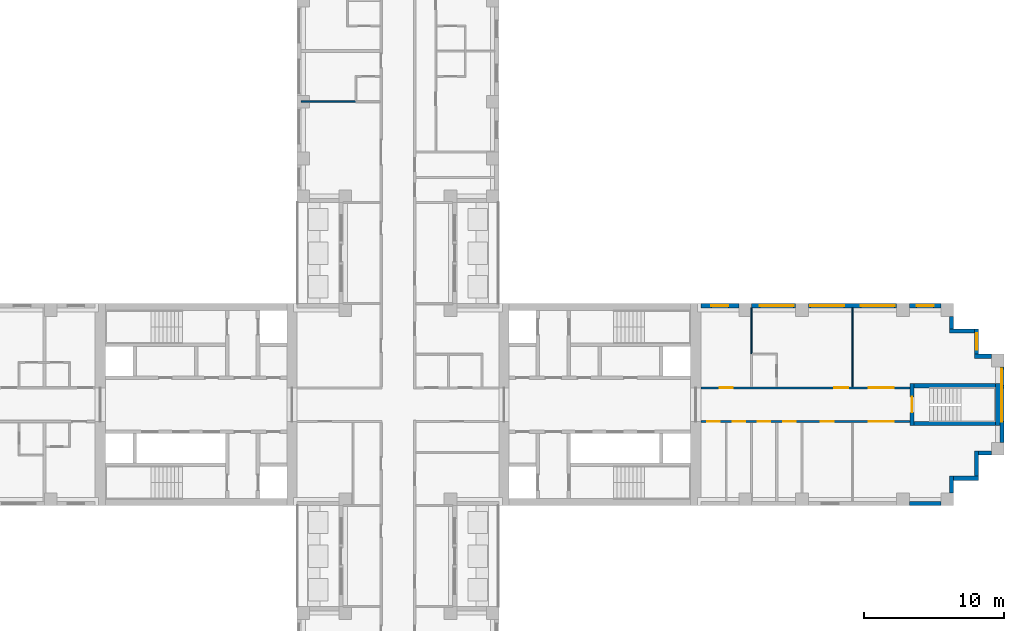
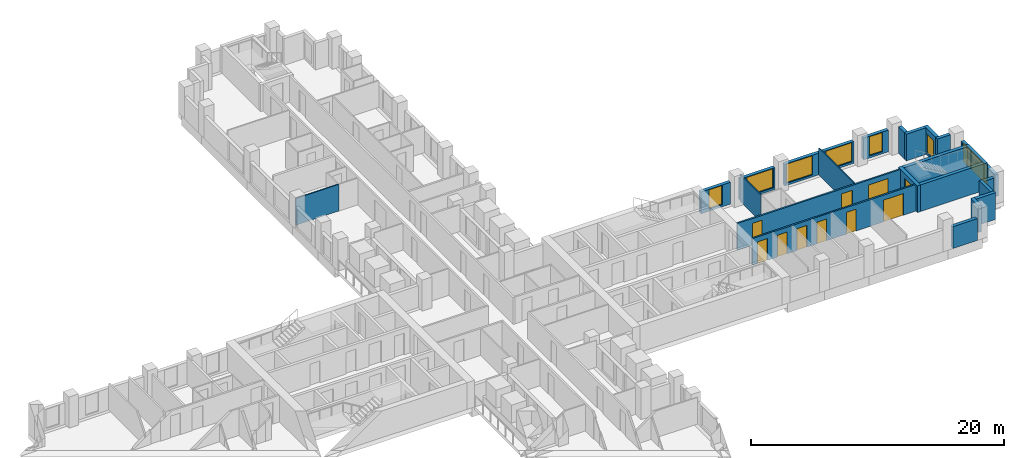
# One storey, part 10 of 15: 23 walls, 10 doors, 8 windows, 18 openings.
"""IFC4 building model written with IfcOpenShell, lengths in metres."""

from ifc_helpers import new_model, si_unit, direction, frame, frame_2d, origin, place, context, subcontext, project, spatial, rectangle, extrude, material, layer, layer_set, type_object, element, fill, save


model = new_model("IFC4")

# Units and contexts
model_context = context("Model", 3, precision=1e-05, world=origin(), true_north=direction((0.0, 1.0)))
body_context = subcontext(model_context, "Body", "Model", "MODEL_VIEW")
ifc_project = project(units=[si_unit("LENGTHUNIT", "METRE"), si_unit("AREAUNIT", "SQUARE_METRE"), si_unit("VOLUMEUNIT", "CUBIC_METRE"), si_unit("PLANEANGLEUNIT", "RADIAN"), si_unit("MASSUNIT", "GRAM", prefix="KILO")], contexts=[model_context])

# Site, building, storey
site_placement = place(None, origin())
site = spatial("IfcSite", under=ifc_project, at=site_placement, CompositionType="ELEMENT")
building_placement = place(site_placement, origin())
building = spatial("IfcBuilding", under=site, at=building_placement, Name="Fustian Cross Tower", CompositionType="ELEMENT")
storey_placement = place(building_placement, frame((0.0, 0.0, 50.699951171875)))
storey = spatial("IfcBuildingStorey", under=building, at=storey_placement, Name="L15", CompositionType="ELEMENT", Elevation=50.699951171875)

# Wall, openings, doors
ifc_material_1 = material(Name="Plasterboard on steel stud", Category="steel")
ifc_layer_1 = layer(ifc_material_1, 0.14990234375)
ifc_layer_set_1 = layer_set([ifc_layer_1], Name="Plasterboard on steel stud")
wall_type_1 = type_object("IfcWallType", Name="COMPARTMENT WALL 150 EI 60", PredefinedType="PARTITIONING", material=ifc_layer_set_1)
wall_1_placement = place(storey_placement, frame((21.60009765625, -1.199951171875, 0.0), z_axis=(0.0, 0.0, 1.0), x_axis=(1.0, 0.0, 0.0)))
wall_1 = element("IfcWall", 1, at=wall_1_placement, inside=storey, type_object=wall_type_1, Name="Partition 77", PredefinedType="PARTITIONING", context=body_context, shape_type="SweptSolid", body=[
    extrude(rectangle(XDim=14.89990234375, YDim=0.14990234375, at=frame_2d((7.449951171875, 0.0))), origin(), (0.0, 0.0, 1.0), 2.574951171875),
])
opening_1_placement = place(wall_1_placement, frame((0.449951171875, 0.0, 0.0)))
opening_1 = element("IfcOpeningElement", 2, at=opening_1_placement, cuts=wall_1, Name="Opening D08013", PredefinedType="OPENING", context=body_context, shape_type="SweptSolid", body=[
    extrude(rectangle(XDim=0.89990234375, YDim=2.10009765625, at=frame_2d((0.449951171875, 1.050048828125))), frame((0.0, 0.0849609375, 0.0), z_axis=(0.0, -1.0, 0.0), x_axis=(1.0, 0.0, 0.0)), (0.0, 0.0, 1.0), 0.169921875),
])
opening_2_placement = place(wall_1_placement, frame((2.25, 0.0, 0.0)))
opening_2 = element("IfcOpeningElement", 3, at=opening_2_placement, cuts=wall_1, Name="Opening D08014", PredefinedType="OPENING", context=body_context, shape_type="SweptSolid", body=[
    extrude(rectangle(XDim=0.89990234375, YDim=2.10009765625, at=frame_2d((0.449951171875, 1.050048828125))), frame((0.0, 0.0849609375, 0.0), z_axis=(0.0, -1.0, 0.0), x_axis=(1.0, 0.0, 0.0)), (0.0, 0.0, 1.0), 0.169921875),
])
opening_3_placement = place(wall_1_placement, frame((4.050048828125, 0.0, 0.0)))
opening_3 = element("IfcOpeningElement", 4, at=opening_3_placement, cuts=wall_1, Name="Opening D08015", PredefinedType="OPENING", context=body_context, shape_type="SweptSolid", body=[
    extrude(rectangle(XDim=0.89990234375, YDim=2.10009765625, at=frame_2d((0.449951171875, 1.050048828125))), frame((0.0, 0.0849609375, 0.0), z_axis=(0.0, -1.0, 0.0), x_axis=(1.0, 0.0, 0.0)), (0.0, 0.0, 1.0), 0.169921875),
])
opening_4_placement = place(wall_1_placement, frame((5.85009765625, 0.0, 0.0)))
opening_4 = element("IfcOpeningElement", 5, at=opening_4_placement, cuts=wall_1, Name="Opening D08016", PredefinedType="OPENING", context=body_context, shape_type="SweptSolid", body=[
    extrude(rectangle(XDim=0.89990234375, YDim=2.10009765625, at=frame_2d((0.449951171875, 1.050048828125))), frame((0.0, 0.0849609375, 0.0), z_axis=(0.0, -1.0, 0.0), x_axis=(1.0, 0.0, 0.0)), (0.0, 0.0, 1.0), 0.169921875),
])
opening_5_placement = place(wall_1_placement, frame((8.550048828125, 0.0, 0.0)))
opening_5 = element("IfcOpeningElement", 6, at=opening_5_placement, cuts=wall_1, Name="Opening D08017", PredefinedType="OPENING", context=body_context, shape_type="SweptSolid", body=[
    extrude(rectangle(XDim=0.89990234375, YDim=2.10009765625, at=frame_2d((0.449951171875, 1.050048828125))), frame((0.0, 0.0849609375, 0.0), z_axis=(0.0, -1.0, 0.0), x_axis=(1.0, 0.0, 0.0)), (0.0, 0.0, 1.0), 0.169921875),
])
opening_6_placement = place(wall_1_placement, frame((11.949951171875, 0.0, 0.0)))
opening_6 = element("IfcOpeningElement", 7, at=opening_6_placement, cuts=wall_1, Name="Opening D08018", PredefinedType="OPENING", context=body_context, shape_type="SweptSolid", body=[
    extrude(rectangle(XDim=1.800048828125, YDim=2.10009765625, at=frame_2d((0.89990234375, 1.050048828125))), frame((0.0, 0.0849609375, 0.0), z_axis=(0.0, -1.0, 0.0), x_axis=(1.0, 0.0, 0.0)), (0.0, 0.0, 1.0), 0.169921875),
])
ifc_material_2 = material(Name="Timber fire door set", Category="wood")
door_type_1 = type_object("IfcDoorType", Name="FIRE DOUBLE DOOR 1800 FD30S", OperationType="DOUBLE_DOOR_DOUBLE_SWING", PredefinedType="DOOR", material=ifc_material_2)
door_1_placement = place(opening_6_placement, origin())
door_1 = element("IfcDoor", 8, at=door_1_placement, inside=storey, type_object=door_type_1, Name="Door D08018", OperationType="DOUBLE_DOOR_DOUBLE_SWING", OverallHeight=2.10009765625, OverallWidth=1.800048828125, PredefinedType="DOOR", context=body_context, shape_type="SweptSolid", body=[
    extrude(rectangle(XDim=1.800048828125, YDim=2.10009765625, at=frame_2d((0.89990234375, 1.050048828125))), frame((0.0, 0.02490234375, 0.0), z_axis=(0.0, -1.0, 0.0), x_axis=(1.0, 0.0, 0.0)), (0.0, 0.0, 1.0), 0.050048828125),
])
fill(opening_6, door_1)
ifc_material_3 = material(Name="Timber fire door set", Category="wood")
door_type_2 = type_object("IfcDoorType", Name="FIRE SWING DOOR 900 FD30S", OperationType="SINGLE_SWING_LEFT", PredefinedType="DOOR", material=ifc_material_3)
door_2_placement = place(opening_1_placement, frame((0.89990234375, 0.0, 0.0), z_axis=(0.0, 0.0, 1.0), x_axis=(-1.0, 0.0, 0.0)))
door_2 = element("IfcDoor", 9, at=door_2_placement, inside=storey, type_object=door_type_2, Name="Door D08013", OperationType="SINGLE_SWING_LEFT", OverallHeight=2.10009765625, OverallWidth=0.89990234375, PredefinedType="DOOR", context=body_context, shape_type="SweptSolid", body=[
    extrude(rectangle(XDim=0.89990234375, YDim=2.10009765625, at=frame_2d((0.449951171875, 1.050048828125))), frame((0.0, 0.02490234375, 0.0), z_axis=(0.0, -1.0, 0.0), x_axis=(1.0, 0.0, 0.0)), (0.0, 0.0, 1.0), 0.050048828125),
])
fill(opening_1, door_2)
door_3_placement = place(opening_2_placement, frame((0.89990234375, 0.0, 0.0), z_axis=(0.0, 0.0, 1.0), x_axis=(-1.0, 0.0, 0.0)))
door_3 = element("IfcDoor", 10, at=door_3_placement, inside=storey, type_object=door_type_2, Name="Door D08014", OperationType="SINGLE_SWING_LEFT", OverallHeight=2.10009765625, OverallWidth=0.89990234375, PredefinedType="DOOR", context=body_context, shape_type="SweptSolid", body=[
    extrude(rectangle(XDim=0.89990234375, YDim=2.10009765625, at=frame_2d((0.449951171875, 1.050048828125))), frame((0.0, 0.02490234375, 0.0), z_axis=(0.0, -1.0, 0.0), x_axis=(1.0, 0.0, 0.0)), (0.0, 0.0, 1.0), 0.050048828125),
])
fill(opening_2, door_3)
door_4_placement = place(opening_3_placement, frame((0.89990234375, 0.0, 0.0), z_axis=(0.0, 0.0, 1.0), x_axis=(-1.0, 0.0, 0.0)))
door_4 = element("IfcDoor", 11, at=door_4_placement, inside=storey, type_object=door_type_2, Name="Door D08015", OperationType="SINGLE_SWING_LEFT", OverallHeight=2.10009765625, OverallWidth=0.89990234375, PredefinedType="DOOR", context=body_context, shape_type="SweptSolid", body=[
    extrude(rectangle(XDim=0.89990234375, YDim=2.10009765625, at=frame_2d((0.449951171875, 1.050048828125))), frame((0.0, 0.02490234375, 0.0), z_axis=(0.0, -1.0, 0.0), x_axis=(1.0, 0.0, 0.0)), (0.0, 0.0, 1.0), 0.050048828125),
])
fill(opening_3, door_4)
door_5_placement = place(opening_4_placement, frame((0.89990234375, 0.0, 0.0), z_axis=(0.0, 0.0, 1.0), x_axis=(-1.0, 0.0, 0.0)))
door_5 = element("IfcDoor", 12, at=door_5_placement, inside=storey, type_object=door_type_2, Name="Door D08016", OperationType="SINGLE_SWING_LEFT", OverallHeight=2.10009765625, OverallWidth=0.89990234375, PredefinedType="DOOR", context=body_context, shape_type="SweptSolid", body=[
    extrude(rectangle(XDim=0.89990234375, YDim=2.10009765625, at=frame_2d((0.449951171875, 1.050048828125))), frame((0.0, 0.02490234375, 0.0), z_axis=(0.0, -1.0, 0.0), x_axis=(1.0, 0.0, 0.0)), (0.0, 0.0, 1.0), 0.050048828125),
])
fill(opening_4, door_5)
door_6_placement = place(opening_5_placement, frame((0.89990234375, 0.0, 0.0), z_axis=(0.0, 0.0, 1.0), x_axis=(-1.0, 0.0, 0.0)))
door_6 = element("IfcDoor", 13, at=door_6_placement, inside=storey, type_object=door_type_2, Name="Door D08017", OperationType="SINGLE_SWING_RIGHT", OverallHeight=2.10009765625, OverallWidth=0.89990234375, PredefinedType="DOOR", context=body_context, shape_type="SweptSolid", body=[
    extrude(rectangle(XDim=0.89990234375, YDim=2.10009765625, at=frame_2d((0.449951171875, 1.050048828125))), frame((0.0, 0.02490234375, 0.0), z_axis=(0.0, -1.0, 0.0), x_axis=(1.0, 0.0, 0.0)), (0.0, 0.0, 1.0), 0.050048828125),
])
fill(opening_5, door_6)

wall_2_placement = place(storey_placement, frame((21.60009765625, 1.199951171875, 0.0), z_axis=(0.0, 0.0, 1.0), x_axis=(1.0, 0.0, 0.0)))
wall_2 = element("IfcWall", 14, at=wall_2_placement, inside=storey, type_object=wall_type_1, Name="Partition 78", PredefinedType="PARTITIONING", context=body_context, shape_type="SweptSolid", body=[
    extrude(rectangle(XDim=14.89990234375, YDim=0.14990234375, at=frame_2d((7.449951171875, 0.0))), origin(), (0.0, 0.0, 1.0), 2.574951171875),
])
opening_7_placement = place(wall_2_placement, frame((1.35009765625, 0.0, 0.0)))
opening_7 = element("IfcOpeningElement", 15, at=opening_7_placement, cuts=wall_2, Name="Opening D08009", PredefinedType="OPENING", context=body_context, shape_type="SweptSolid", body=[
    extrude(rectangle(XDim=0.89990234375, YDim=2.10009765625, at=frame_2d((0.449951171875, 1.050048828125))), frame((0.0, 0.0849609375, 0.0), z_axis=(0.0, -1.0, 0.0), x_axis=(1.0, 0.0, 0.0)), (0.0, 0.0, 1.0), 0.169921875),
])
opening_8_placement = place(wall_2_placement, frame((9.489990234375, 0.0, 0.0)))
opening_8 = element("IfcOpeningElement", 16, at=opening_8_placement, cuts=wall_2, Name="Opening D08011", PredefinedType="OPENING", context=body_context, shape_type="SweptSolid", body=[
    extrude(rectangle(XDim=1.0, YDim=2.10009765625, at=frame_2d((0.5, 1.050048828125))), frame((0.0, 0.0849609375, 0.0), z_axis=(0.0, -1.0, 0.0), x_axis=(1.0, 0.0, 0.0)), (0.0, 0.0, 1.0), 0.169921875),
])
opening_9_placement = place(wall_2_placement, frame((11.949951171875, 0.0, 0.0)))
opening_9 = element("IfcOpeningElement", 17, at=opening_9_placement, cuts=wall_2, Name="Opening D08012", PredefinedType="OPENING", context=body_context, shape_type="SweptSolid", body=[
    extrude(rectangle(XDim=1.800048828125, YDim=2.10009765625, at=frame_2d((0.89990234375, 1.050048828125))), frame((0.0, 0.0849609375, 0.0), z_axis=(0.0, -1.0, 0.0), x_axis=(1.0, 0.0, 0.0)), (0.0, 0.0, 1.0), 0.169921875),
])
door_7_placement = place(opening_9_placement, frame((1.800048828125, 0.0, 0.0), z_axis=(0.0, 0.0, 1.0), x_axis=(-1.0, 0.0, 0.0)))
door_7 = element("IfcDoor", 18, at=door_7_placement, inside=storey, type_object=door_type_1, Name="Door D08012", OperationType="DOUBLE_DOOR_DOUBLE_SWING", OverallHeight=2.10009765625, OverallWidth=1.800048828125, PredefinedType="DOOR", context=body_context, shape_type="SweptSolid", body=[
    extrude(rectangle(XDim=1.800048828125, YDim=2.10009765625, at=frame_2d((0.89990234375, 1.050048828125))), frame((0.0, 0.02490234375, 0.0), z_axis=(0.0, -1.0, 0.0), x_axis=(1.0, 0.0, 0.0)), (0.0, 0.0, 1.0), 0.050048828125),
])
fill(opening_9, door_7)
ifc_material_4 = material(Name="Timber fire door set", Category="wood")
door_type_3 = type_object("IfcDoorType", Name="FIRE SWING DOOR 1000 FD30S", OperationType="SINGLE_SWING_LEFT", PredefinedType="DOOR", material=ifc_material_4)
door_8_placement = place(opening_8_placement, origin())
door_8 = element("IfcDoor", 19, at=door_8_placement, inside=storey, type_object=door_type_3, Name="Door D08011", OperationType="SINGLE_SWING_RIGHT", OverallHeight=2.10009765625, OverallWidth=1.0, PredefinedType="DOOR", context=body_context, shape_type="SweptSolid", body=[
    extrude(rectangle(XDim=1.0, YDim=2.10009765625, at=frame_2d((0.5, 1.050048828125))), frame((0.0, 0.02490234375, 0.0), z_axis=(0.0, -1.0, 0.0), x_axis=(1.0, 0.0, 0.0)), (0.0, 0.0, 1.0), 0.050048828125),
])
fill(opening_8, door_8)
door_9_placement = place(opening_7_placement, origin())
door_9 = element("IfcDoor", 20, at=door_9_placement, inside=storey, type_object=door_type_2, Name="Door D08009", OperationType="SINGLE_SWING_LEFT", OverallHeight=2.10009765625, OverallWidth=0.89990234375, PredefinedType="DOOR", context=body_context, shape_type="SweptSolid", body=[
    extrude(rectangle(XDim=0.89990234375, YDim=2.10009765625, at=frame_2d((0.449951171875, 1.050048828125))), frame((0.0, 0.02490234375, 0.0), z_axis=(0.0, -1.0, 0.0), x_axis=(1.0, 0.0, 0.0)), (0.0, 0.0, 1.0), 0.050048828125),
])
fill(opening_7, door_9)

# Walls
ifc_material_5 = material(Name="Plasterboard on steel stud", Category="steel")
ifc_layer_2 = layer(ifc_material_5, 0.10009765625)
ifc_layer_set_2 = layer_set([ifc_layer_2], Name="Plasterboard on steel stud")
wall_type_2 = type_object("IfcWallType", Name="PARTITION 100 STUD", PredefinedType="PARTITIONING", material=ifc_layer_set_2)
wall_3_placement = place(storey_placement, frame((-6.89990234375, 21.60009765625, 0.0), z_axis=(0.0, 0.0, 1.0), x_axis=(1.0, 0.0, 0.0)))
element("IfcWall", 21, at=wall_3_placement, inside=storey, type_object=wall_type_2, Name="Partition 23", PredefinedType="PARTITIONING", context=body_context, shape_type="SweptSolid", body=[
    extrude(rectangle(XDim=3.89990234375, YDim=0.10009765625, at=frame_2d((1.949951171875, 0.0))), origin(), (0.0, 0.0, 1.0), 2.574951171875),
])
wall_4_placement = place(storey_placement, frame((25.199951171875, 3.60009765625, 0.0), z_axis=(0.0, 0.0, 1.0), x_axis=(0.0, 1.0, 0.0)))
element("IfcWall", 22, at=wall_4_placement, inside=storey, type_object=wall_type_2, Name="Partition 82", PredefinedType="PARTITIONING", context=body_context, shape_type="SweptSolid", body=[
    extrude(rectangle(XDim=3.2998046875, YDim=0.10009765625, at=frame_2d((1.64990234375, 0.0))), origin(), (0.0, 0.0, 1.0), 2.574951171875),
])
wall_5_placement = place(storey_placement, frame((32.39990234375, 1.27490234375, 0.0), z_axis=(0.0, 0.0, 1.0), x_axis=(0.0, 1.0, 0.0)))
element("IfcWall", 23, at=wall_5_placement, inside=storey, type_object=wall_type_2, Name="Partition 88", PredefinedType="PARTITIONING", context=body_context, shape_type="SweptSolid", body=[
    extrude(rectangle(XDim=5.625, YDim=0.10009765625, at=frame_2d((2.8125, 0.0))), origin(), (0.0, 0.0, 1.0), 2.574951171875),
])

# Wall, opening, door
ifc_material_6 = material(Name="Concrete C50/60", Category="concrete")
ifc_layer_3 = layer(ifc_material_6, 0.300048828125)
ifc_layer_set_3 = layer_set([ifc_layer_3], Name="Concrete C50/60")
wall_type_3 = type_object("IfcWallType", Name="STAIR ENCLOSURE WALL 300 C50/60", PredefinedType="SHEAR", material=ifc_layer_set_3)
wall_6_placement = place(storey_placement, frame((36.64990234375, -1.5, 0.0), z_axis=(0.0, 0.0, 1.0), x_axis=(0.0, 1.0, 0.0)))
wall_6 = element("IfcWall", 24, at=wall_6_placement, inside=storey, type_object=wall_type_3, Name="Stair enclosure wall", PredefinedType="SHEAR", context=body_context, shape_type="SweptSolid", body=[
    extrude(rectangle(XDim=3.0, YDim=0.300048828125, at=frame_2d((1.5, 0.0))), origin(), (0.0, 0.0, 1.0), 2.574951171875),
])
opening_10_placement = place(wall_6_placement, frame((0.949951171875, 0.0, 0.0)))
opening_10 = element("IfcOpeningElement", 25, at=opening_10_placement, cuts=wall_6, Name="Opening CD-05-33", PredefinedType="OPENING", context=body_context, shape_type="SweptSolid", body=[
    extrude(rectangle(XDim=1.10009765625, YDim=2.10009765625, at=frame_2d((0.550048828125, 1.050048828125))), frame((0.0, 0.159912109375, 0.0), z_axis=(0.0, -1.0, 0.0), x_axis=(1.0, 0.0, 0.0)), (0.0, 0.0, 1.0), 0.320068359375),
])
ifc_material_7 = material(Name="Steel", Category="steel")
door_type_4 = type_object("IfcDoorType", Name="FIRE DOOR FD60S 1100X2100", OperationType="SINGLE_SWING_LEFT", PredefinedType="DOOR", material=ifc_material_7)
door_10_placement = place(opening_10_placement, frame((1.10009765625, 0.0, 0.0), z_axis=(0.0, 0.0, 1.0), x_axis=(-1.0, 0.0, 0.0)))
door_10 = element("IfcDoor", 26, at=door_10_placement, inside=storey, type_object=door_type_4, Name="Core door CD-05-33", OperationType="SINGLE_SWING_RIGHT", OverallHeight=2.10009765625, OverallWidth=1.10009765625, PredefinedType="DOOR", context=body_context, shape_type="SweptSolid", body=[
    extrude(rectangle(XDim=1.10009765625, YDim=2.10009765625, at=frame_2d((0.550048828125, 1.050048828125))), frame((0.0, 0.02490234375, 0.0), z_axis=(0.0, -1.0, 0.0), x_axis=(1.0, 0.0, 0.0)), (0.0, 0.0, 1.0), 0.050048828125),
])
fill(opening_10, door_10)

# Walls
wall_7_placement = place(storey_placement, frame((42.75, -1.5, 0.0), z_axis=(0.0, 0.0, 1.0), x_axis=(0.0, 1.0, 0.0)))
element("IfcWall", 27, at=wall_7_placement, inside=storey, type_object=wall_type_3, Name="Stair enclosure wall", PredefinedType="SHEAR", context=body_context, shape_type="SweptSolid", body=[
    extrude(rectangle(XDim=3.0, YDim=0.300048828125, at=frame_2d((1.5, 0.0))), origin(), (0.0, 0.0, 1.0), 2.574951171875),
])
for number, where, z_axis, x_axis, name in (
    (28, (36.800048828125, -1.35009765625, 0.0), (0.0, 0.0, 1.0), (1.0, 0.0, 0.0), "Stair enclosure wall"),
    (29, (36.800048828125, 1.35009765625, 0.0), (0.0, 0.0, 1.0), (1.0, 0.0, 0.0), "Stair enclosure wall"),
):
    element("IfcWall", number, at=place(storey_placement, frame(where, z_axis=z_axis, x_axis=x_axis)), inside=storey, type_object=wall_type_3, Name=name, PredefinedType="SHEAR", context=body_context, shape_type="SweptSolid", body=[
        extrude(rectangle(XDim=5.800048828125, YDim=0.300048828125, at=frame_2d((2.89990234375, 0.0))), origin(), (0.0, 0.0, 1.0), 2.574951171875),
    ])
ifc_material_8 = material(Name="Dark aluminium cladding on insulated backing wall", Category="aluminium")
ifc_layer_4 = layer(ifc_material_8, 0.300048828125)
ifc_layer_set_4 = layer_set([ifc_layer_4], Name="Dark aluminium cladding on insulated backing wall")
wall_type_4 = type_object("IfcWallType", Name="XW1 EXTERNAL WALL 300", PredefinedType="SOLIDWALL", material=ifc_layer_set_4)
wall_8_placement = place(storey_placement, frame((36.449951171875, -7.050048828125, 0.0), z_axis=(0.0, 0.0, 1.0), x_axis=(1.0, 0.0, 0.0)))
element("IfcWall", 30, at=wall_8_placement, inside=storey, type_object=wall_type_4, Name="External wall", PredefinedType="SOLIDWALL", context=body_context, shape_type="SweptSolid", body=[
    extrude(rectangle(XDim=2.25, YDim=0.300048828125, at=frame_2d((1.125, 0.0))), origin(), (0.0, 0.0, 1.0), 2.10009765625),
])
wall_9_placement = place(storey_placement, frame((39.449951171875, -6.300048828125, 0.0), z_axis=(0.0, 0.0, 1.0), x_axis=(0.0, 1.0, 0.0)))
element("IfcWall", 31, at=wall_9_placement, inside=storey, type_object=wall_type_4, Name="External wall", PredefinedType="SOLIDWALL", context=body_context, shape_type="SweptSolid", body=[
    extrude(rectangle(XDim=1.199951171875, YDim=0.300048828125, at=frame_2d((0.60009765625, 0.0))), origin(), (0.0, 0.0, 1.0), 2.574951171875),
])
wall_10_placement = place(storey_placement, frame((39.60009765625, -5.25, 0.0), z_axis=(0.0, 0.0, 1.0), x_axis=(1.0, 0.0, 0.0)))
element("IfcWall", 32, at=wall_10_placement, inside=storey, type_object=wall_type_4, Name="External wall", PredefinedType="SOLIDWALL", context=body_context, shape_type="SweptSolid", body=[
    extrude(rectangle(XDim=1.7998046875, YDim=0.300048828125, at=frame_2d((0.89990234375, 0.0))), origin(), (0.0, 0.0, 1.0), 2.574951171875),
])
wall_11_placement = place(storey_placement, frame((41.25, -5.10009765625, 0.0), z_axis=(0.0, 0.0, 1.0), x_axis=(0.0, 1.0, 0.0)))
element("IfcWall", 33, at=wall_11_placement, inside=storey, type_object=wall_type_4, Name="External wall", PredefinedType="SOLIDWALL", context=body_context, shape_type="SweptSolid", body=[
    extrude(rectangle(XDim=1.800048828125, YDim=0.300048828125, at=frame_2d((0.89990234375, 0.0))), origin(), (0.0, 0.0, 1.0), 2.574951171875),
])
wall_12_placement = place(storey_placement, frame((41.39990234375, -3.449951171875, 0.0), z_axis=(0.0, 0.0, 1.0), x_axis=(1.0, 0.0, 0.0)))
element("IfcWall", 34, at=wall_12_placement, inside=storey, type_object=wall_type_4, Name="External wall", PredefinedType="SOLIDWALL", context=body_context, shape_type="SweptSolid", body=[
    extrude(rectangle(XDim=0.900146484375, YDim=0.300048828125, at=frame_2d((0.4501953125, 0.0))), origin(), (0.0, 0.0, 1.0), 2.574951171875),
])

# Wall, openings, windows
wall_13_placement = place(storey_placement, frame((43.050048828125, -2.699951171875, 0.0), z_axis=(0.0, 0.0, 1.0), x_axis=(0.0, 1.0, 0.0)))
wall_13 = element("IfcWall", 35, at=wall_13_placement, inside=storey, type_object=wall_type_4, Name="External wall", PredefinedType="SOLIDWALL", context=body_context, shape_type="SweptSolid", body=[
    extrude(rectangle(XDim=5.39990234375, YDim=0.300048828125, at=frame_2d((2.699951171875, 0.0))), origin(), (0.0, 0.0, 1.0), 2.10009765625),
])
opening_11_placement = place(wall_13_placement, frame((1.5, 0.0, 0.199951171875)))
opening_11 = element("IfcOpeningElement", 36, at=opening_11_placement, cuts=wall_13, Name="Opening WN1", PredefinedType="OPENING", context=body_context, shape_type="SweptSolid", body=[
    extrude(rectangle(XDim=2.39990234375, YDim=1.85009765625, at=frame_2d((1.199951171875, 0.925048828125))), frame((0.0, 0.159912109375, 0.0), z_axis=(0.0, -1.0, 0.0), x_axis=(1.0, 0.0, 0.0)), (0.0, 0.0, 1.0), 0.320068359375),
])
opening_12_placement = place(wall_13_placement, frame((4.050048828125, 0.0, 0.199951171875)))
opening_12 = element("IfcOpeningElement", 37, at=opening_12_placement, cuts=wall_13, Name="Opening WN3", PredefinedType="OPENING", context=body_context, shape_type="SweptSolid", body=[
    extrude(rectangle(XDim=1.199951171875, YDim=1.85009765625, at=frame_2d((0.60009765625, 0.925048828125))), frame((0.0, 0.159912109375, 0.0), z_axis=(0.0, -1.0, 0.0), x_axis=(1.0, 0.0, 0.0)), (0.0, 0.0, 1.0), 0.320068359375),
])
ifc_material_9 = material(Name="Dark anodised aluminium and double glazing", Category="aluminium")
window_type_1 = type_object("IfcWindowType", Name="WN1 WINDOW 2400X1850", PartitioningType="SINGLE_PANEL", PredefinedType="WINDOW", material=ifc_material_9)
window_1_placement = place(opening_11_placement, origin())
window_1 = element("IfcWindow", 38, at=window_1_placement, inside=storey, type_object=window_type_1, Name="Window", OverallHeight=1.85009765625, OverallWidth=2.39990234375, PartitioningType="SINGLE_PANEL", PredefinedType="WINDOW", context=body_context, shape_type="SweptSolid", body=[
    extrude(rectangle(XDim=2.39990234375, YDim=1.85009765625, at=frame_2d((1.199951171875, 0.925048828125))), frame((0.0, 0.030029296875, 0.0), z_axis=(0.0, -1.0, 0.0), x_axis=(1.0, 0.0, 0.0)), (0.0, 0.0, 1.0), 0.06005859375),
])
fill(opening_11, window_1)
ifc_material_10 = material(Name="Dark anodised aluminium and double glazing", Category="aluminium")
window_type_2 = type_object("IfcWindowType", Name="WN3 WINDOW 1200X1850", PartitioningType="SINGLE_PANEL", PredefinedType="WINDOW", material=ifc_material_10)
window_2_placement = place(opening_12_placement, origin())
window_2 = element("IfcWindow", 39, at=window_2_placement, inside=storey, type_object=window_type_2, Name="Window", OverallHeight=1.85009765625, OverallWidth=1.199951171875, PartitioningType="SINGLE_PANEL", PredefinedType="WINDOW", context=body_context, shape_type="SweptSolid", body=[
    extrude(rectangle(XDim=1.199951171875, YDim=1.85009765625, at=frame_2d((0.60009765625, 0.925048828125))), frame((0.0, 0.030029296875, 0.0), z_axis=(0.0, -1.0, 0.0), x_axis=(1.0, 0.0, 0.0)), (0.0, 0.0, 1.0), 0.06005859375),
])
fill(opening_12, window_2)

# Wall
wall_14_placement = place(storey_placement, frame((42.300048828125, 3.449951171875, 0.0), z_axis=(0.0, 0.0, 1.0), x_axis=(-1.0, 0.0, 0.0)))
element("IfcWall", 40, at=wall_14_placement, inside=storey, type_object=wall_type_4, Name="External wall", PredefinedType="SOLIDWALL", context=body_context, shape_type="SweptSolid", body=[
    extrude(rectangle(XDim=1.199951171875, YDim=0.300048828125, at=frame_2d((0.60009765625, 0.0))), origin(), (0.0, 0.0, 1.0), 2.574951171875),
])

# Wall, opening, window
wall_15_placement = place(storey_placement, frame((41.25, 3.60009765625, 0.0), z_axis=(0.0, 0.0, 1.0), x_axis=(0.0, 1.0, 0.0)))
wall_15 = element("IfcWall", 41, at=wall_15_placement, inside=storey, type_object=wall_type_4, Name="External wall", PredefinedType="SOLIDWALL", context=body_context, shape_type="SweptSolid", body=[
    extrude(rectangle(XDim=1.7998046875, YDim=0.300048828125, at=frame_2d((0.89990234375, 0.0))), origin(), (0.0, 0.0, 1.0), 2.574951171875),
])
opening_13_placement = place(wall_15_placement, frame((0.300048828125, 0.0, 0.199951171875)))
opening_13 = element("IfcOpeningElement", 42, at=opening_13_placement, cuts=wall_15, Name="Opening WN3", PredefinedType="OPENING", context=body_context, shape_type="SweptSolid", body=[
    extrude(rectangle(XDim=1.199951171875, YDim=1.85009765625, at=frame_2d((0.60009765625, 0.925048828125))), frame((0.0, 0.159912109375, 0.0), z_axis=(0.0, -1.0, 0.0), x_axis=(1.0, 0.0, 0.0)), (0.0, 0.0, 1.0), 0.320068359375),
])
window_3_placement = place(opening_13_placement, origin())
window_3 = element("IfcWindow", 43, at=window_3_placement, inside=storey, type_object=window_type_2, Name="Window", OverallHeight=1.85009765625, OverallWidth=1.199951171875, PartitioningType="SINGLE_PANEL", PredefinedType="WINDOW", context=body_context, shape_type="SweptSolid", body=[
    extrude(rectangle(XDim=1.199951171875, YDim=1.85009765625, at=frame_2d((0.60009765625, 0.925048828125))), frame((0.0, 0.030029296875, 0.0), z_axis=(0.0, -1.0, 0.0), x_axis=(1.0, 0.0, 0.0)), (0.0, 0.0, 1.0), 0.06005859375),
])
fill(opening_13, window_3)

# Walls
wall_16_placement = place(storey_placement, frame((41.10009765625, 5.25, 0.0), z_axis=(0.0, 0.0, 1.0), x_axis=(-1.0, 0.0, 0.0)))
element("IfcWall", 44, at=wall_16_placement, inside=storey, type_object=wall_type_4, Name="External wall", PredefinedType="SOLIDWALL", context=body_context, shape_type="SweptSolid", body=[
    extrude(rectangle(XDim=1.800048828125, YDim=0.300048828125, at=frame_2d((0.89990234375, 0.0))), origin(), (0.0, 0.0, 1.0), 2.574951171875),
])
wall_17_placement = place(storey_placement, frame((39.449951171875, 5.39990234375, 0.0), z_axis=(0.0, 0.0, 1.0), x_axis=(0.0, 1.0, 0.0)))
element("IfcWall", 45, at=wall_17_placement, inside=storey, type_object=wall_type_4, Name="External wall", PredefinedType="SOLIDWALL", context=body_context, shape_type="SweptSolid", body=[
    extrude(rectangle(XDim=0.900146484375, YDim=0.300048828125, at=frame_2d((0.4501953125, 0.0))), origin(), (0.0, 0.0, 1.0), 2.574951171875),
])

# Wall, opening, window
wall_18_placement = place(storey_placement, frame((38.699951171875, 7.050048828125, 0.0), z_axis=(0.0, 0.0, 1.0), x_axis=(-1.0, 0.0, 0.0)))
wall_18 = element("IfcWall", 46, at=wall_18_placement, inside=storey, type_object=wall_type_4, Name="External wall", PredefinedType="SOLIDWALL", context=body_context, shape_type="SweptSolid", body=[
    extrude(rectangle(XDim=2.25, YDim=0.300048828125, at=frame_2d((1.125, 0.0))), origin(), (0.0, 0.0, 1.0), 2.10009765625),
])
opening_14_placement = place(wall_18_placement, frame((0.52490234375, 0.0, 0.199951171875)))
opening_14 = element("IfcOpeningElement", 47, at=opening_14_placement, cuts=wall_18, Name="Opening WN3", PredefinedType="OPENING", context=body_context, shape_type="SweptSolid", body=[
    extrude(rectangle(XDim=1.199951171875, YDim=1.85009765625, at=frame_2d((0.60009765625, 0.925048828125))), frame((0.0, 0.159912109375, 0.0), z_axis=(0.0, -1.0, 0.0), x_axis=(1.0, 0.0, 0.0)), (0.0, 0.0, 1.0), 0.320068359375),
])
window_4_placement = place(opening_14_placement, origin())
window_4 = element("IfcWindow", 48, at=window_4_placement, inside=storey, type_object=window_type_2, Name="Window", OverallHeight=1.85009765625, OverallWidth=1.199951171875, PartitioningType="SINGLE_PANEL", PredefinedType="WINDOW", context=body_context, shape_type="SweptSolid", body=[
    extrude(rectangle(XDim=1.199951171875, YDim=1.85009765625, at=frame_2d((0.60009765625, 0.925048828125))), frame((0.0, 0.030029296875, 0.0), z_axis=(0.0, -1.0, 0.0), x_axis=(1.0, 0.0, 0.0)), (0.0, 0.0, 1.0), 0.06005859375),
])
fill(opening_14, window_4)

# Wall, openings, windows
wall_19_placement = place(storey_placement, frame((35.550048828125, 7.050048828125, 0.0), z_axis=(0.0, 0.0, 1.0), x_axis=(-1.0, 0.0, 0.0)))
wall_19 = element("IfcWall", 49, at=wall_19_placement, inside=storey, type_object=wall_type_4, Name="External wall", PredefinedType="SOLIDWALL", context=body_context, shape_type="SweptSolid", body=[
    extrude(rectangle(XDim=6.300048828125, YDim=0.300048828125, at=frame_2d((3.14990234375, 0.0))), origin(), (0.0, 0.0, 1.0), 2.10009765625),
])
opening_15_placement = place(wall_19_placement, frame((0.14990234375, 0.0, 0.199951171875)))
opening_15 = element("IfcOpeningElement", 50, at=opening_15_placement, cuts=wall_19, Name="Opening WN1", PredefinedType="OPENING", context=body_context, shape_type="SweptSolid", body=[
    extrude(rectangle(XDim=2.39990234375, YDim=1.85009765625, at=frame_2d((1.199951171875, 0.925048828125))), frame((0.0, 0.159912109375, 0.0), z_axis=(0.0, -1.0, 0.0), x_axis=(1.0, 0.0, 0.0)), (0.0, 0.0, 1.0), 0.320068359375),
])
opening_16_placement = place(wall_19_placement, frame((3.75, 0.0, 0.199951171875)))
opening_16 = element("IfcOpeningElement", 51, at=opening_16_placement, cuts=wall_19, Name="Opening WN1", PredefinedType="OPENING", context=body_context, shape_type="SweptSolid", body=[
    extrude(rectangle(XDim=2.39990234375, YDim=1.85009765625, at=frame_2d((1.199951171875, 0.925048828125))), frame((0.0, 0.159912109375, 0.0), z_axis=(0.0, -1.0, 0.0), x_axis=(1.0, 0.0, 0.0)), (0.0, 0.0, 1.0), 0.320068359375),
])
window_5_placement = place(opening_15_placement, origin())
window_5 = element("IfcWindow", 52, at=window_5_placement, inside=storey, type_object=window_type_1, Name="Window", OverallHeight=1.85009765625, OverallWidth=2.39990234375, PartitioningType="SINGLE_PANEL", PredefinedType="WINDOW", context=body_context, shape_type="SweptSolid", body=[
    extrude(rectangle(XDim=2.39990234375, YDim=1.85009765625, at=frame_2d((1.199951171875, 0.925048828125))), frame((0.0, 0.030029296875, 0.0), z_axis=(0.0, -1.0, 0.0), x_axis=(1.0, 0.0, 0.0)), (0.0, 0.0, 1.0), 0.06005859375),
])
fill(opening_15, window_5)
window_6_placement = place(opening_16_placement, origin())
window_6 = element("IfcWindow", 53, at=window_6_placement, inside=storey, type_object=window_type_1, Name="Window", OverallHeight=1.85009765625, OverallWidth=2.39990234375, PartitioningType="SINGLE_PANEL", PredefinedType="WINDOW", context=body_context, shape_type="SweptSolid", body=[
    extrude(rectangle(XDim=2.39990234375, YDim=1.85009765625, at=frame_2d((1.199951171875, 0.925048828125))), frame((0.0, 0.030029296875, 0.0), z_axis=(0.0, -1.0, 0.0), x_axis=(1.0, 0.0, 0.0)), (0.0, 0.0, 1.0), 0.06005859375),
])
fill(opening_16, window_6)

# Wall, opening, window
wall_20_placement = place(storey_placement, frame((28.35009765625, 7.050048828125, 0.0), z_axis=(0.0, 0.0, 1.0), x_axis=(-1.0, 0.0, 0.0)))
wall_20 = element("IfcWall", 54, at=wall_20_placement, inside=storey, type_object=wall_type_4, Name="External wall", PredefinedType="SOLIDWALL", context=body_context, shape_type="SweptSolid", body=[
    extrude(rectangle(XDim=3.150146484375, YDim=0.300048828125, at=frame_2d((1.5751953125, 0.0))), origin(), (0.0, 0.0, 1.0), 2.10009765625),
])
opening_17_placement = place(wall_20_placement, frame((0.14990234375, 0.0, 0.199951171875)))
opening_17 = element("IfcOpeningElement", 55, at=opening_17_placement, cuts=wall_20, Name="Opening WN1", PredefinedType="OPENING", context=body_context, shape_type="SweptSolid", body=[
    extrude(rectangle(XDim=2.39990234375, YDim=1.85009765625, at=frame_2d((1.199951171875, 0.925048828125))), frame((0.0, 0.159912109375, 0.0), z_axis=(0.0, -1.0, 0.0), x_axis=(1.0, 0.0, 0.0)), (0.0, 0.0, 1.0), 0.320068359375),
])
window_7_placement = place(opening_17_placement, origin())
window_7 = element("IfcWindow", 56, at=window_7_placement, inside=storey, type_object=window_type_1, Name="Window", OverallHeight=1.85009765625, OverallWidth=2.39990234375, PartitioningType="SINGLE_PANEL", PredefinedType="WINDOW", context=body_context, shape_type="SweptSolid", body=[
    extrude(rectangle(XDim=2.39990234375, YDim=1.85009765625, at=frame_2d((1.199951171875, 0.925048828125))), frame((0.0, 0.030029296875, 0.0), z_axis=(0.0, -1.0, 0.0), x_axis=(1.0, 0.0, 0.0)), (0.0, 0.0, 1.0), 0.06005859375),
])
fill(opening_17, window_7)

wall_21_placement = place(storey_placement, frame((24.300048828125, 7.050048828125, 0.0), z_axis=(0.0, 0.0, 1.0), x_axis=(-1.0, 0.0, 0.0)))
wall_21 = element("IfcWall", 57, at=wall_21_placement, inside=storey, type_object=wall_type_4, Name="External wall", PredefinedType="SOLIDWALL", context=body_context, shape_type="SweptSolid", body=[
    extrude(rectangle(XDim=2.699951171875, YDim=0.300048828125, at=frame_2d((1.35009765625, 0.0))), origin(), (0.0, 0.0, 1.0), 2.10009765625),
])
opening_18_placement = place(wall_21_placement, frame((0.75, 0.0, 0.199951171875)))
opening_18 = element("IfcOpeningElement", 58, at=opening_18_placement, cuts=wall_21, Name="Opening WN3", PredefinedType="OPENING", context=body_context, shape_type="SweptSolid", body=[
    extrude(rectangle(XDim=1.199951171875, YDim=1.85009765625, at=frame_2d((0.60009765625, 0.925048828125))), frame((0.0, 0.159912109375, 0.0), z_axis=(0.0, -1.0, 0.0), x_axis=(1.0, 0.0, 0.0)), (0.0, 0.0, 1.0), 0.320068359375),
])
window_8_placement = place(opening_18_placement, origin())
window_8 = element("IfcWindow", 59, at=window_8_placement, inside=storey, type_object=window_type_2, Name="Window", OverallHeight=1.85009765625, OverallWidth=1.199951171875, PartitioningType="SINGLE_PANEL", PredefinedType="WINDOW", context=body_context, shape_type="SweptSolid", body=[
    extrude(rectangle(XDim=1.199951171875, YDim=1.85009765625, at=frame_2d((0.60009765625, 0.925048828125))), frame((0.0, 0.030029296875, 0.0), z_axis=(0.0, -1.0, 0.0), x_axis=(1.0, 0.0, 0.0)), (0.0, 0.0, 1.0), 0.06005859375),
])
fill(opening_18, window_8)

save(model, "model.ifc")
